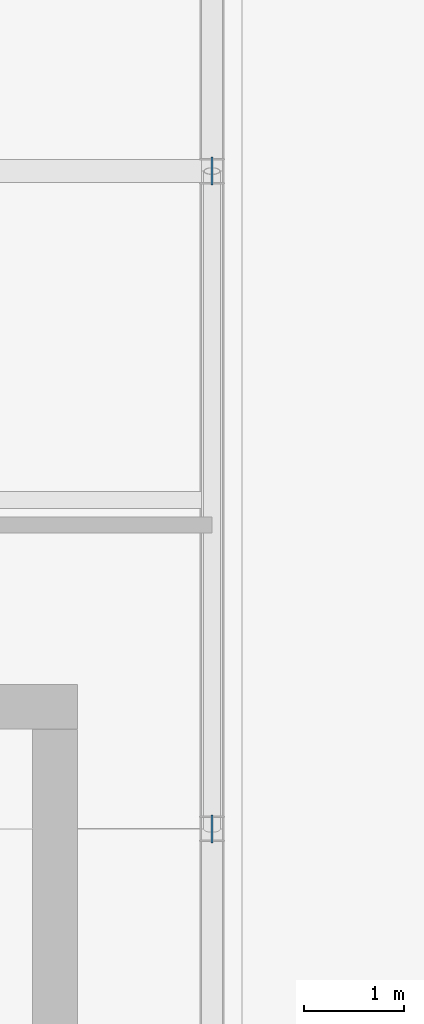
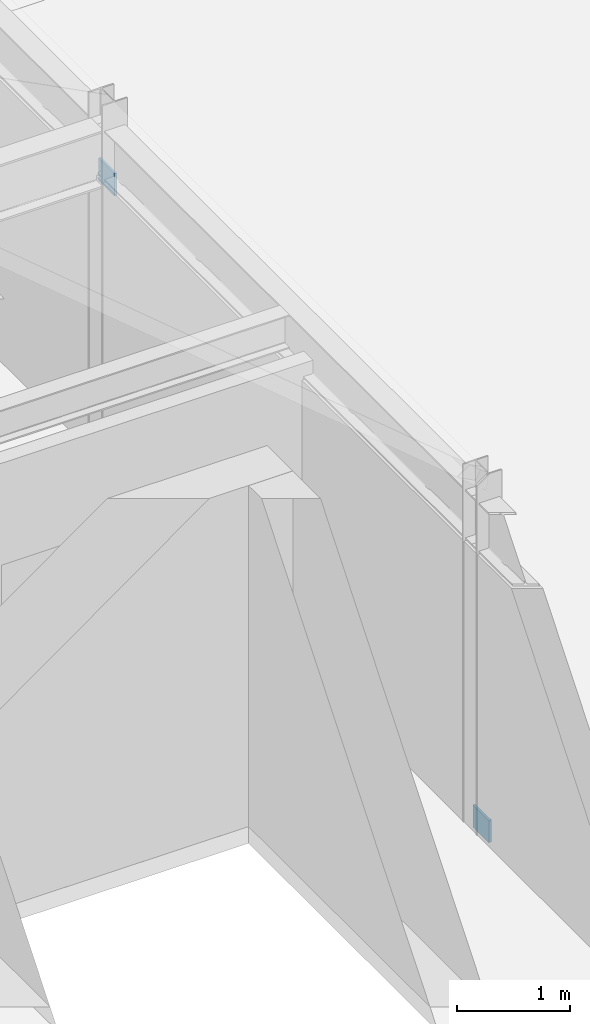
# One storey, part 18 of 21: 2 plates.
"""IFC4 building model written with IfcOpenShell, lengths in metres."""

import ifcopenshell
import ifcopenshell.guid

model = None  # the IFC model being written
_history = None  # IfcOwnerHistory: only IFC2X3 demands one
_inside = {}  # id of a spatial element -> (the spatial element, [elements in it])
_under = {}  # id of a project, library or spatial element -> (it, [spatial elements below it])
_declared = {}  # id of a project -> (the project, [libraries it declares])
_typed = {}  # id of a type object -> (the type object, [elements of that type])
_made_of = {}  # id of a material, layer set ... -> (it, [elements and type objects made of it])


def new_model(schema):
    """Start an empty IFC model of exactly this schema.

    Asked for "IFC4X3", IfcOpenShell would pick the latest addendum, in which some entities
    have other attributes; the version numbers below select the first issue.
    IFC2X3 requires an IfcOwnerHistory on every rooted entity: one is made here for all.
    """
    global model, _history
    if schema == "IFC4X3":
        model = ifcopenshell.file(schema_version=(4, 3, 0, 0))
    else:
        model = ifcopenshell.file(schema=schema)
    _inside.clear()
    _under.clear()
    _declared.clear()
    _typed.clear()
    _made_of.clear()
    _history = None
    if model.schema == "IFC2X3":
        org = make("IfcOrganization", Name="unknown")
        user = make(
            "IfcPersonAndOrganization",
            ThePerson=make("IfcPerson", FamilyName="unknown"),
            TheOrganization=org,
        )
        app = make(
            "IfcApplication",
            ApplicationDeveloper=org,
            Version="unknown",
            ApplicationFullName="unknown",
            ApplicationIdentifier="unknown",
        )
        _history = make(
            "IfcOwnerHistory",
            OwningUser=user,
            OwningApplication=app,
            ChangeAction="ADDED",
            CreationDate=0,
        )
    return model


def make(cls, **values):
    """One entity of the class cls with the attributes given. An attribute that is None is left unset."""
    return model.create_entity(
        cls, **{name: value for name, value in values.items() if value is not None}
    )


def rooted(cls, **values):
    """An entity with a GlobalId (a new one), such as an element, a storey or a relation."""
    return make(cls, GlobalId=ifcopenshell.guid.new(), OwnerHistory=_history, **values)


def si_unit(unit_type, name, prefix=None):
    """IfcSIUnit, for example si_unit("LENGTHUNIT", "METRE", prefix="MILLI")."""
    return make("IfcSIUnit", UnitType=unit_type, Prefix=prefix, Name=name)


def assignment(units):
    """IfcUnitAssignment: the units of a project."""
    return None if units is None else make("IfcUnitAssignment", Units=units)


def point(xyz):
    """IfcCartesianPoint."""
    return None if xyz is None else make("IfcCartesianPoint", Coordinates=xyz)


def direction(xyz):
    """IfcDirection."""
    return None if xyz is None else make("IfcDirection", DirectionRatios=xyz)


def frame(location, z_axis=None, x_axis=None):
    """IfcAxis2Placement3D, a coordinate frame: its origin and axes. An axis left out is left unset."""
    return make(
        "IfcAxis2Placement3D",
        Location=point(location),
        Axis=direction(z_axis),
        RefDirection=direction(x_axis),
    )


def frame_2d(location, x_axis=None):
    """IfcAxis2Placement2D, a coordinate frame in the plane: its origin and x axis."""
    return make(
        "IfcAxis2Placement2D", Location=point(location), RefDirection=direction(x_axis)
    )


def origin():
    """The frame at (0, 0, 0) with its axes left unset."""
    return frame((0.0, 0.0, 0.0))


def origin_2d():
    """The frame at (0, 0) in the plane with its x axis left unset."""
    return frame_2d((0.0, 0.0))


def place(relative_to, where):
    """IfcLocalPlacement: puts the frame where relative to a parent placement (None: the world)."""
    return make(
        "IfcLocalPlacement", PlacementRelTo=relative_to, RelativePlacement=where
    )


def context(
    kind, dimensions, precision=None, world=None, true_north=None, identifier=None
):
    """IfcGeometricRepresentationContext, for example the 3D "Model" context."""
    return make(
        "IfcGeometricRepresentationContext",
        ContextIdentifier=identifier,
        ContextType=kind,
        CoordinateSpaceDimension=dimensions,
        Precision=precision,
        WorldCoordinateSystem=world,
        TrueNorth=true_north,
    )


def subcontext(parent, identifier, kind, view, scale=None):
    """IfcGeometricRepresentationSubContext, for example "Body" below "Model"."""
    return make(
        "IfcGeometricRepresentationSubContext",
        ContextIdentifier=identifier,
        ContextType=kind,
        ParentContext=parent,
        TargetScale=scale,
        TargetView=view,
    )


def project(units=None, contexts=None):
    """IfcProject with its units and contexts."""
    return rooted(
        "IfcProject",
        Name="project",
        RepresentationContexts=contexts,
        UnitsInContext=assignment(units),
    )


def spatial(cls, under=None, at=None, **own):
    """A site, building, storey or space (cls), placed at a placement, below another one or the project."""
    s = rooted(cls, ObjectPlacement=at, **own)
    if under is not None:
        _under.setdefault(under.id(), (under, []))[1].append(s)
    return s


def profile(cls, at=None, kind="AREA", **sizes):
    """A parametric profile (cls). Its sizes go by their IFC names, for example OverallWidth=200.0."""
    return make(cls, ProfileType=kind, Position=at, **sizes)


def rectangle(**sizes):
    """IfcRectangleProfileDef."""
    return profile("IfcRectangleProfileDef", **sizes)


def extrude(swept, where, along, depth):
    """IfcExtrudedAreaSolid: the profile swept, set in the frame where, extruded along a direction by depth."""
    return make(
        "IfcExtrudedAreaSolid",
        SweptArea=swept,
        Position=where,
        ExtrudedDirection=direction(along),
        Depth=depth,
    )


def shape(context_of_items, identifier, shape_type, items):
    """IfcShapeRepresentation: the items that make up one representation, for example the "Body"."""
    return make(
        "IfcShapeRepresentation",
        ContextOfItems=context_of_items,
        RepresentationIdentifier=identifier,
        RepresentationType=shape_type,
        Items=items,
    )


def material(Name=None, Category=None):
    """IfcMaterial."""
    return make("IfcMaterial", Name=Name, Category=Category)


def layer(
    of_material, thickness, ventilated=None, Name=None, Category=None, Priority=None
):
    """IfcMaterialLayer: one layer of a wall or slab, of a material (None: an air gap)."""
    return make(
        "IfcMaterialLayer",
        Material=of_material,
        LayerThickness=thickness,
        IsVentilated=ventilated,
        Name=Name,
        Category=Category,
        Priority=Priority,
    )


def layer_set(layers, Name=None):
    """IfcMaterialLayerSet."""
    return make("IfcMaterialLayerSet", MaterialLayers=layers, LayerSetName=Name)


def made_of(thing, what):
    """Note that an element or type object is made of a material, layer set ...; save() writes the relation."""
    if what is not None:
        _made_of.setdefault(what.id(), (what, []))[1].append(thing)
    return thing


def type_object(cls, material=None, **own):
    """A type object (cls), such as IfcWallType, which elements share."""
    return made_of(rooted(cls, **own), material)


def element(
    cls,
    number,
    at=None,
    inside=None,
    cuts=None,
    type_object=None,
    material=None,
    context=None,
    identifier="Body",
    shape_type=None,
    held_by="IfcProductDefinitionShape",
    body=None,
    shapes=None,
    **own,
):
    """One element of the class cls, such as IfcWall. Its Tag is "e" and its number.

    at: its placement. inside: the storey or other place that contains it. cuts: it is an
    opening in that element (IfcRelVoidsElement). A single representation is given by context,
    identifier, shape_type and body (its items); several are given by shapes. held_by: the class
    of the entity that holds the representations. save() writes the other relations.
    """
    e = rooted(cls, Tag="e%d" % number, ObjectPlacement=at, **own)
    if body is not None:
        shapes = [shape(context, identifier, shape_type, body)]
    if shapes is not None:
        e.Representation = make(held_by, Representations=shapes)
    if inside is not None:
        _inside.setdefault(inside.id(), (inside, []))[1].append(e)
    if cuts is not None:
        rooted(
            "IfcRelVoidsElement", RelatingBuildingElement=cuts, RelatedOpeningElement=e
        )
    if type_object is not None:
        _typed.setdefault(type_object.id(), (type_object, []))[1].append(e)
    return made_of(e, material)


def aggregate(whole, parts):
    """IfcRelAggregates: a whole, such as a stair, and the parts it consists of."""
    return rooted("IfcRelAggregates", RelatingObject=whole, RelatedObjects=parts)


def save(model, path):
    """Write the relations noted so far, then the file.

    IfcRelAggregates (storeys below a building ...), IfcRelContainedInSpatialStructure (elements
    in a storey), IfcRelDefinesByType, IfcRelAssociatesMaterial and IfcRelDeclares: one each for
    every whole, place, type object, material and project.
    """
    for whole, parts in _under.values():
        aggregate(whole, parts)
    for where, things in _inside.values():
        rooted(
            "IfcRelContainedInSpatialStructure",
            RelatedElements=things,
            RelatingStructure=where,
        )
    for kind, things in _typed.values():
        rooted("IfcRelDefinesByType", RelatedObjects=things, RelatingType=kind)
    for what, things in _made_of.values():
        rooted("IfcRelAssociatesMaterial", RelatedObjects=things, RelatingMaterial=what)
    for by, libraries in _declared.values():
        rooted("IfcRelDeclares", RelatingContext=by, RelatedDefinitions=libraries)
    model.write(path)


model = new_model("IFC4")

# Units and contexts
model_context = context("Model", 3, precision=1e-05, world=origin(), true_north=direction((0.0, 1.0)))
body_context = subcontext(model_context, "Body", "Model", "MODEL_VIEW")
ifc_project = project(units=[si_unit("LENGTHUNIT", "METRE"), si_unit("AREAUNIT", "SQUARE_METRE"), si_unit("VOLUMEUNIT", "CUBIC_METRE"), si_unit("PLANEANGLEUNIT", "RADIAN"), si_unit("MASSUNIT", "GRAM", prefix="KILO")], contexts=[model_context])

# Site, building, storey
site_placement = place(None, origin())
site = spatial("IfcSite", under=ifc_project, at=site_placement, CompositionType="ELEMENT")
building_placement = place(site_placement, origin())
building = spatial("IfcBuilding", under=site, at=building_placement, Name="Karori Crest Natural Sciences Institute", CompositionType="ELEMENT")
storey_placement = place(building_placement, frame((0.0, 0.0, 42.0)))
storey = spatial("IfcBuildingStorey", under=building, at=storey_placement, Name="L10", CompositionType="ELEMENT", Elevation=42.0)

# Plates
ifc_material = material(Name="Structural steel AS/NZS 3679.1 Grade 350", Category="steel")
ifc_layer = layer(ifc_material, 0.02490234375, Name="Structural steel AS/NZS 3679.1 Grade 350")
ifc_layer_set = layer_set([ifc_layer], Name="Structural steel AS/NZS 3679.1 Grade 350")
plate_type = type_object("IfcPlateType", Name="PLT-06-EL", PredefinedType="SHEET", material=ifc_layer_set)
for number, where, z_axis, x_axis, name in (
    (1, (136.60009765625, 7.39990234375, -0.10986328125), (0.0, 0.0, 1.0), (0.0, 1.0, 0.0), "Brace gusset plate EP-0430"),
    (2, (136.60009765625, 14.0, 2.84814453125), (0.0, 0.0, 1.0), (0.0, 1.0, 0.0), "Brace gusset plate EP-0431"),
):
    element("IfcPlate", number, at=place(storey_placement, frame(where, z_axis=z_axis, x_axis=x_axis)), inside=storey, type_object=plate_type, Name=name, PredefinedType="SHEET", context=body_context, shape_type="SweptSolid", body=[
        extrude(rectangle(XDim=0.280029296875, YDim=0.02490234375, at=origin_2d()), origin(), (0.0, 0.0, 1.0), 0.239990234375),
    ])

save(model, "model.ifc")
